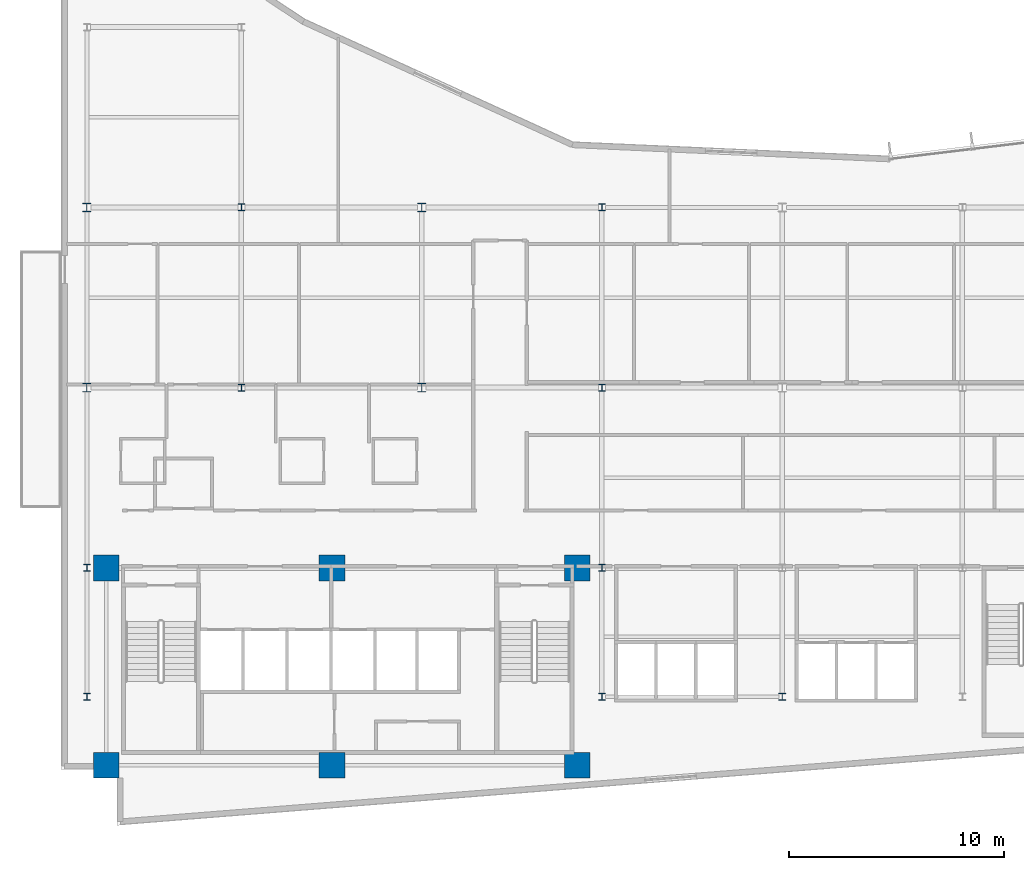
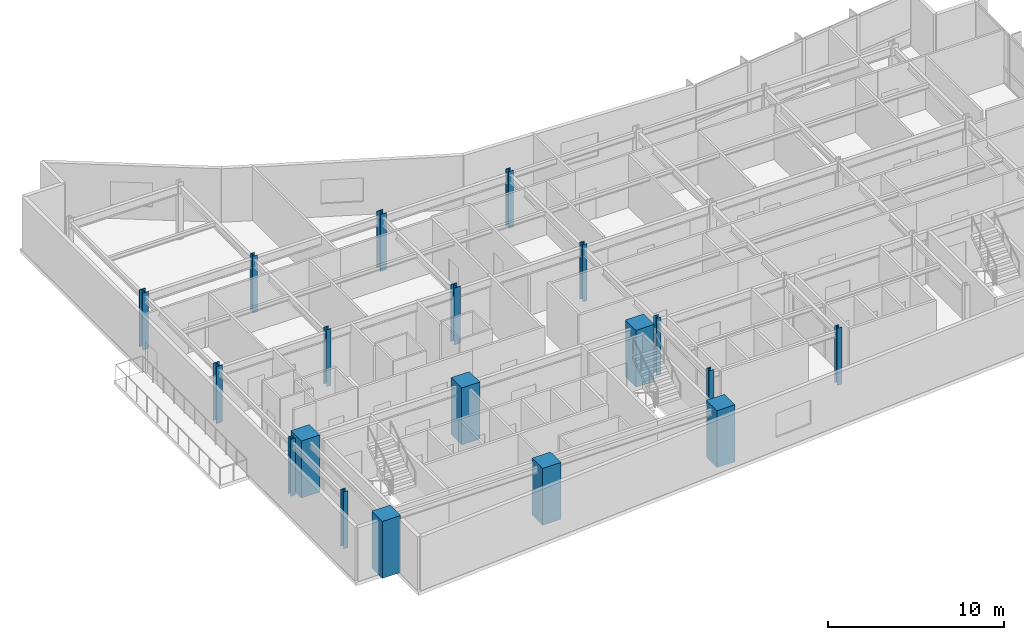
# One storey, part 1 of 18: 19 columns.
"""IFC4 building model written with IfcOpenShell, lengths in metres."""

from ifc_helpers import new_model, si_unit, direction, frame, origin, origin_2d, place, context, subcontext, project, spatial, rectangle, i_section, extrude, material, material_profile, profile_set, type_object, element, save


model = new_model("IFC4")

# Units and contexts
model_context = context("Model", 3, precision=1e-05, world=origin(), true_north=direction((0.0, 1.0)))
body_context = subcontext(model_context, "Body", "Model", "MODEL_VIEW")
ifc_project = project(units=[si_unit("LENGTHUNIT", "METRE"), si_unit("AREAUNIT", "SQUARE_METRE"), si_unit("VOLUMEUNIT", "CUBIC_METRE"), si_unit("PLANEANGLEUNIT", "RADIAN"), si_unit("MASSUNIT", "GRAM", prefix="KILO")], contexts=[model_context])

# Site, building, storey
site_placement = place(None, origin())
site = spatial("IfcSite", under=ifc_project, at=site_placement, CompositionType="ELEMENT")
building_placement = place(site_placement, origin())
building = spatial("IfcBuilding", under=site, at=building_placement, Name="Varnakote Quay Hospital", CompositionType="ELEMENT")
storey_placement = place(building_placement, frame((0.0, 0.0, 107.300048828125)))
storey = spatial("IfcBuildingStorey", under=building, at=storey_placement, Name="L26", CompositionType="ELEMENT", Elevation=107.300048828125)

# Columns
ifc_material_1 = material(Name="Concrete N80 (f'c 80 MPa)", Category="concrete")
ifc_material_profile_1 = material_profile(ifc_material_1, rectangle(XDim=1.199951171875, YDim=1.199951171875, at=origin_2d()), Name="RC-COL-1200x1200")
ifc_profile_set_1 = profile_set([ifc_material_profile_1], Name="Concrete N80 (f'c 80 MPa)")
column_type_1 = type_object("IfcColumnType", Name="COL-RC-1200", PredefinedType="COLUMN", material=ifc_profile_set_1)
for number, where, z_axis, x_axis, name in (
    (1, (2.10009765625, 2.800048828125, 0.0), (0.0, 0.0, 1.0), (1.0, 0.0, 0.0), "L26 Structural Column C-2-3"),
    (2, (12.6201171875, 2.800048828125, 0.0), (0.0, 0.0, 1.0), (1.0, 0.0, 0.0), "L26 Structural Column C-13-3"),
    (3, (24.050048828125, 2.800048828125, 0.0), (0.0, 0.0, 1.0), (1.0, 0.0, 0.0), "L26 Structural Column C-24-3"),
    (4, (2.10009765625, 12.0, 0.0), (0.0, 0.0, 1.0), (1.0, 0.0, 0.0), "L26 Structural Column C-2-12"),
    (5, (12.6201171875, 12.0, 0.0), (0.0, 0.0, 1.0), (1.0, 0.0, 0.0), "L26 Structural Column C-13-12"),
    (6, (24.050048828125, 12.0, 0.0), (0.0, 0.0, 1.0), (1.0, 0.0, 0.0), "L26 Structural Column C-24-12"),
):
    element("IfcColumn", number, at=place(storey_placement, frame(where, z_axis=z_axis, x_axis=x_axis)), inside=storey, type_object=column_type_1, Name=name, PredefinedType="COLUMN", context=body_context, shape_type="SweptSolid", body=[
        extrude(rectangle(XDim=1.199951171875, YDim=1.199951171875, at=origin_2d()), origin(), (0.0, 0.0, 1.0), 3.949951171875),
    ])
ifc_material_2 = material(Name="Structural steel AS/NZS 3679.1 Grade 350 L0 (fy 340 MPa)", Category="steel")
ifc_material_profile_2 = material_profile(ifc_material_2, i_section(OverallWidth=0.30908203125, OverallDepth=0.321044921875, WebThickness=0.013916015625, FlangeThickness=0.021728515625, FilletRadius=0.0166015625, at=origin_2d()), Name="310UC137")
ifc_profile_set_2 = profile_set([ifc_material_profile_2], Name="Structural steel AS/NZS 3679.1 Grade 350 L0 (fy 340 MPa)")
column_type_2 = type_object("IfcColumnType", Name="COL-STL-310UC137", PredefinedType="COLUMN", material=ifc_profile_set_2)
for number, where, z_axis, x_axis, name in (
    (7, (1.199951171875, 6.0, 0.0), (0.0, 0.0, 1.0), (1.0, 0.0, 0.0), "L26 Structural Column C-1-6"),
    (8, (25.199951171875, 6.0, 0.0), (0.0, 0.0, 1.0), (1.0, 0.0, 0.0), "L26 Structural Column C-25-6"),
    (9, (33.60009765625, 6.0, 0.0), (0.0, 0.0, 1.0), (1.0, 0.0, 0.0), "L26 Structural Column C-34-6"),
    (10, (1.199951171875, 12.0, 0.0), (0.0, 0.0, 1.0), (1.0, 0.0, 0.0), "L26 Structural Column C-1-12"),
    (11, (25.199951171875, 12.0, 0.0), (0.0, 0.0, 1.0), (1.0, 0.0, 0.0), "L26 Structural Column C-25-12"),
    (12, (8.39990234375, 20.39990234375, 0.0), (0.0, 0.0, 1.0), (1.0, 0.0, 0.0), "L26 Structural Column C-8-20"),
    (13, (25.199951171875, 20.39990234375, 0.0), (0.0, 0.0, 1.0), (1.0, 0.0, 0.0), "L26 Structural Column C-25-20"),
    (14, (8.39990234375, 28.800048828125, 0.0), (0.0, 0.0, 1.0), (1.0, 0.0, 0.0), "L26 Structural Column C-8-29"),
    (15, (25.199951171875, 28.800048828125, 0.0), (0.0, 0.0, 1.0), (1.0, 0.0, 0.0), "L26 Structural Column C-25-29"),
):
    element("IfcColumn", number, at=place(storey_placement, frame(where, z_axis=z_axis, x_axis=x_axis)), inside=storey, type_object=column_type_2, Name=name, PredefinedType="COLUMN", context=body_context, shape_type="SweptSolid", body=[
        extrude(i_section(OverallWidth=0.30908203125, OverallDepth=0.321044921875, WebThickness=0.013916015625, FlangeThickness=0.021728515625, FilletRadius=0.0166015625, at=origin_2d()), origin(), (0.0, 0.0, 1.0), 3.949951171875),
    ])
ifc_material_3 = material(Name="Structural steel AS/NZS 3678 Grade 350 (fy 340 MPa)", Category="steel")
ifc_material_profile_3 = material_profile(ifc_material_3, i_section(OverallWidth=0.39990234375, OverallDepth=0.419921875, WebThickness=0.02490234375, FlangeThickness=0.0400390625, at=origin_2d()), Name="400WC328")
ifc_profile_set_3 = profile_set([ifc_material_profile_3], Name="Structural steel AS/NZS 3678 Grade 350 (fy 340 MPa)")
column_type_3 = type_object("IfcColumnType", Name="COL-STL-400WC328", PredefinedType="COLUMN", material=ifc_profile_set_3)
for number, where, z_axis, x_axis, name in (
    (16, (1.199951171875, 20.39990234375, 0.0), (0.0, 0.0, 1.0), (1.0, 0.0, 0.0), "L26 Structural Column C-1-20"),
    (17, (16.800048828125, 20.39990234375, 0.0), (0.0, 0.0, 1.0), (1.0, 0.0, 0.0), "L26 Structural Column C-17-20"),
    (18, (1.199951171875, 28.800048828125, 0.0), (0.0, 0.0, 1.0), (1.0, 0.0, 0.0), "L26 Structural Column C-1-29"),
    (19, (16.800048828125, 28.800048828125, 0.0), (0.0, 0.0, 1.0), (1.0, 0.0, 0.0), "L26 Structural Column C-17-29"),
):
    element("IfcColumn", number, at=place(storey_placement, frame(where, z_axis=z_axis, x_axis=x_axis)), inside=storey, type_object=column_type_3, Name=name, PredefinedType="COLUMN", context=body_context, shape_type="SweptSolid", body=[
        extrude(i_section(OverallWidth=0.39990234375, OverallDepth=0.419921875, WebThickness=0.02490234375, FlangeThickness=0.0400390625, at=origin_2d()), origin(), (0.0, 0.0, 1.0), 3.949951171875),
    ])

save(model, "model.ifc")
